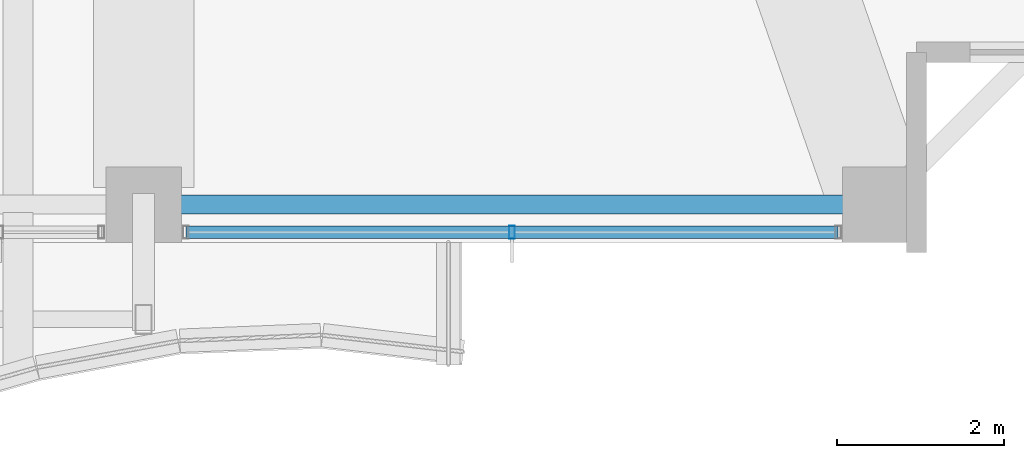
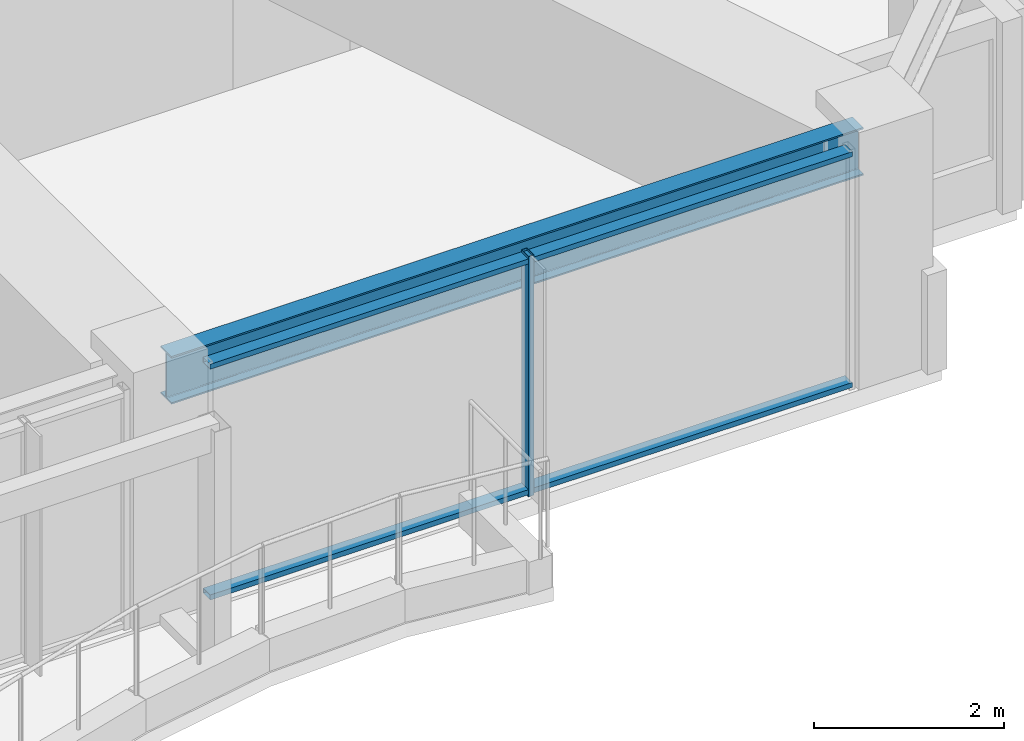
# One storey, part 6 of 37: 3 members, 1 beam, 1 element without a shape of its own.
"""IFC4 building model written with IfcOpenShell, lengths in metres."""

from ifc_helpers import new_model, si_unit, direction, frame, origin, origin_2d, place, context, subcontext, project, spatial, hollow_rectangle, i_section, extrude, material, material_profile, profile_set, type_object, element, aggregate, save


model = new_model("IFC4")

# Units and contexts
model_context = context("Model", 3, precision=1e-05, world=origin(), true_north=direction((0.0, 1.0)))
body_context = subcontext(model_context, "Body", "Model", "MODEL_VIEW")
ifc_project = project(units=[si_unit("LENGTHUNIT", "METRE"), si_unit("AREAUNIT", "SQUARE_METRE"), si_unit("VOLUMEUNIT", "CUBIC_METRE"), si_unit("PLANEANGLEUNIT", "RADIAN"), si_unit("MASSUNIT", "GRAM", prefix="KILO")], contexts=[model_context])

# Site, building, storey
site_placement = place(None, origin())
site = spatial("IfcSite", under=ifc_project, at=site_placement, CompositionType="ELEMENT")
building_placement = place(site_placement, origin())
building = spatial("IfcBuilding", under=site, at=building_placement, Name="Kolvaren Belvedere", CompositionType="ELEMENT")
storey_placement = place(building_placement, frame((0.0, 0.0, 186.60009765625)))
storey = spatial("IfcBuildingStorey", under=building, at=storey_placement, Name="L54", CompositionType="ELEMENT", Elevation=186.60009765625)

# Beam
ifc_material_1 = material(Name="Structural steel ASTM A992 Grade 50", Category="steel")
ifc_material_profile_1 = material_profile(ifc_material_1, i_section(OverallWidth=0.22900390625, OverallDepth=0.612060546875, WebThickness=0.011962890625, FlangeThickness=0.01953125, FilletRadius=0.01806640625, at=origin_2d()), Name="W24X84")
ifc_profile_set_1 = profile_set([ifc_material_profile_1], Name="Structural steel ASTM A992 Grade 50")
beam_type = type_object("IfcBeamType", Name="BM-SPAN-W24X84", PredefinedType="SPANDREL", material=ifc_profile_set_1)
beam_placement = place(storey_placement, frame((4.802490234375, -19.949951171875, 2.77392578125), z_axis=(1.0, 0.0, 0.0), x_axis=(0.0, 1.0, 0.0)))
element("IfcBeam", 1, at=beam_placement, inside=storey, type_object=beam_type, Name="L54 Perimeter Spandrel S3-S4", PredefinedType="SPANDREL", context=body_context, shape_type="SweptSolid", body=[
    extrude(i_section(OverallWidth=0.22900390625, OverallDepth=0.612060546875, WebThickness=0.011962890625, FlangeThickness=0.01953125, FilletRadius=0.01806640625, at=origin_2d()), origin(), (0.0, 0.0, 1.0), 8.39501953125),
])

# Curtain wall, members
ifc_material_2 = material(Name="Anodised pale-metal aluminium AA 6063-T6", Category="aluminium")
curtain_wall_type = type_object("IfcCurtainWallType", Name="CW-Z5-HIGH", PredefinedType="NOTDEFINED", material=ifc_material_2)
curtain_wall_placement = place(storey_placement, origin())
curtain_wall = element("IfcCurtainWall", 2, at=curtain_wall_placement, inside=storey, type_object=curtain_wall_type, Name="L54 Unitised Curtain Wall FCW-L54-S1-B1", PredefinedType="NOTDEFINED")
ifc_material_3 = material(Name="Anodised pale-metal aluminium AA 6063-T6", Category="aluminium")
ifc_material_profile_2 = material_profile(ifc_material_3, hollow_rectangle(XDim=0.070068359375, YDim=0.14990234375, WallThickness=0.004150390625, at=origin_2d()), Name="ALU-MUL-150X70")
ifc_profile_set_2 = profile_set([ifc_material_profile_2], Name="Anodised pale-metal aluminium AA 6063-T6")
member_type_1 = type_object("IfcMemberType", Name="CW-MUL-150", PredefinedType="MULLION", material=ifc_profile_set_2)
member_1_placement = place(storey_placement, frame((9.0, -20.280029296875, 0.0), z_axis=(0.0, 0.0, 1.0), x_axis=(1.0, 0.0, 0.0)))
member_1 = element("IfcMember", 3, at=member_1_placement, type_object=member_type_1, Name="FCW-L54-S1-B1 Unitised Mullion 2", PredefinedType="MULLION", context=body_context, shape_type="SweptSolid", body=[
    extrude(hollow_rectangle(XDim=0.070068359375, YDim=0.14990234375, WallThickness=0.004150390625, at=origin_2d()), origin(), (0.0, 0.0, 1.0), 3.079833984375),
])
ifc_material_4 = material(Name="Anodised pale-metal aluminium AA 6063-T6", Category="aluminium")
ifc_material_profile_3 = material_profile(ifc_material_4, hollow_rectangle(XDim=0.06494140625, YDim=0.14990234375, WallThickness=0.00390625, at=origin_2d()), Name="ALU-TRN-150X65")
ifc_profile_set_3 = profile_set([ifc_material_profile_3], Name="Anodised pale-metal aluminium AA 6063-T6")
member_type_2 = type_object("IfcMemberType", Name="CW-TRN-150", PredefinedType="USERDEFINED", material=ifc_profile_set_3)
member_2_placement = place(storey_placement, frame((12.89501953125, -20.280029296875, 0.059814453125), z_axis=(-1.0, 0.0, 0.0), x_axis=(0.0, 0.0, 1.0)))
member_2 = element("IfcMember", 4, at=member_2_placement, type_object=member_type_2, Name="FCW-L54-S1-B1 Sill Transom", ObjectType="TRANSOM", PredefinedType="USERDEFINED", context=body_context, shape_type="SweptSolid", body=[
    extrude(hollow_rectangle(XDim=0.06494140625, YDim=0.14990234375, WallThickness=0.00390625, at=origin_2d()), origin(), (0.0, 0.0, 1.0), 7.7900390625),
])
member_3_placement = place(storey_placement, frame((12.89501953125, -20.280029296875, 3.02001953125), z_axis=(-1.0, 0.0, 0.0), x_axis=(0.0, 0.0, 1.0)))
member_3 = element("IfcMember", 5, at=member_3_placement, type_object=member_type_2, Name="FCW-L54-S1-B1 Head Transom", ObjectType="TRANSOM", PredefinedType="USERDEFINED", context=body_context, shape_type="SweptSolid", body=[
    extrude(hollow_rectangle(XDim=0.06494140625, YDim=0.14990234375, WallThickness=0.00390625, at=origin_2d()), origin(), (0.0, 0.0, 1.0), 7.7900390625),
])
aggregate(curtain_wall, [member_1, member_2, member_3])

save(model, "model.ifc")
